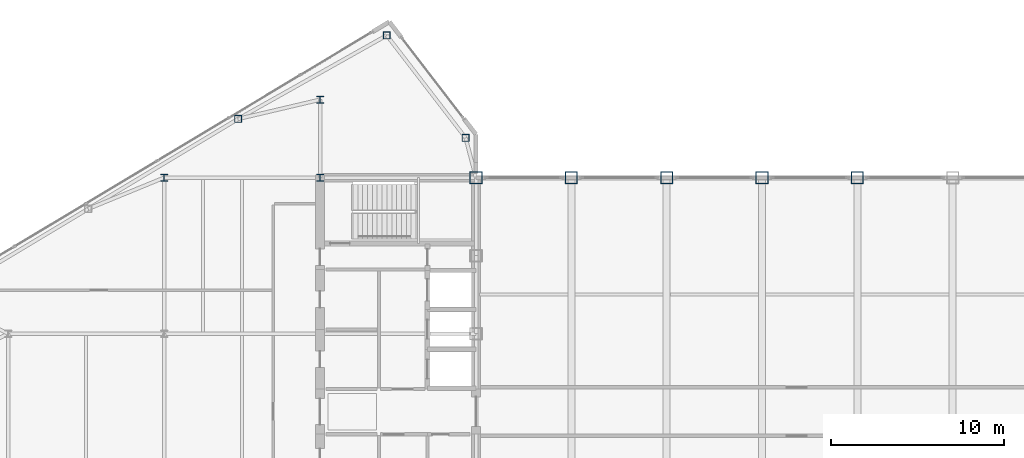
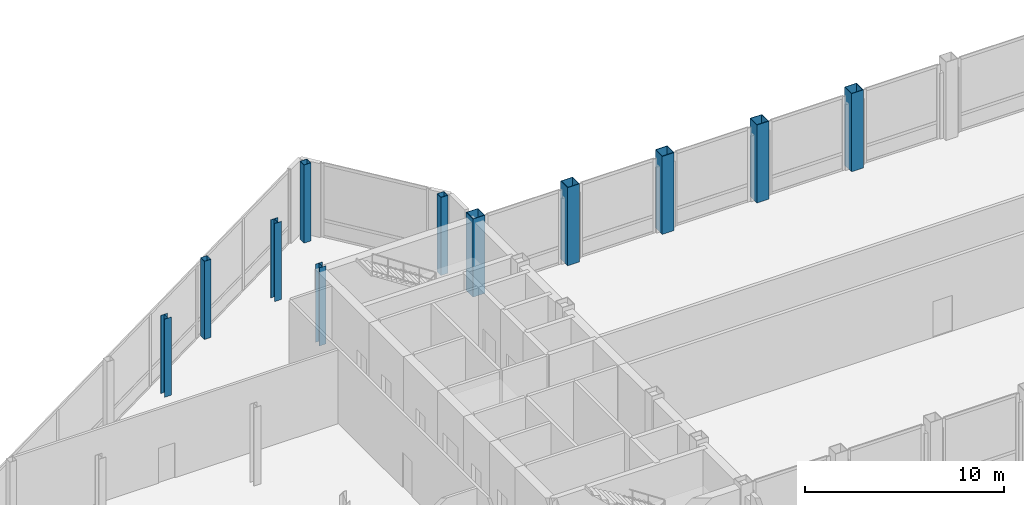
# One storey, part 3 of 29: 11 columns.
"""IFC4 building model written with IfcOpenShell, lengths in metres."""

from ifc_helpers import new_model, si_unit, direction, frame, origin, origin_2d, place, context, subcontext, project, spatial, hollow_rectangle, i_section, extrude, source, transform, mapped, material, material_profile, profile_set, type_object, type_shapes, element, save


model = new_model("IFC4")

# Units and contexts
model_context = context("Model", 3, precision=1e-05, world=origin(), true_north=direction((0.0, 1.0)))
body_context = subcontext(model_context, "Body", "Model", "MODEL_VIEW")
ifc_project = project(units=[si_unit("LENGTHUNIT", "METRE"), si_unit("AREAUNIT", "SQUARE_METRE"), si_unit("VOLUMEUNIT", "CUBIC_METRE"), si_unit("PLANEANGLEUNIT", "RADIAN"), si_unit("MASSUNIT", "GRAM", prefix="KILO")], contexts=[model_context])

# Site, building, storey
site_placement = place(None, origin())
site = spatial("IfcSite", under=ifc_project, at=site_placement, CompositionType="ELEMENT")
building_placement = place(site_placement, origin())
building = spatial("IfcBuilding", under=site, at=building_placement, Name="Seokmaru Belvedere", CompositionType="ELEMENT")
storey_placement = place(building_placement, frame((0.0, 0.0, 269.39990234375)))
storey = spatial("IfcBuildingStorey", under=building, at=storey_placement, Name="L71", CompositionType="ELEMENT", Elevation=269.39990234375)

# Columns
ifc_material = material(Name="Steel SM355 (355 MPa)", Category="steel")
ifc_material_profile_1 = material_profile(ifc_material, hollow_rectangle(XDim=0.699951171875, YDim=0.699951171875, WallThickness=0.030029296875, at=origin_2d()), Name="BOX-700x700x30")
ifc_profile_set_1 = profile_set([ifc_material_profile_1], Name="Steel SM355 (355 MPa)")
column_type_1 = type_object("IfcColumnType", Name="Upper Spine Column BOX-700", PredefinedType="COLUMN", material=ifc_profile_set_1)
shared_shape_1 = source(origin(), body_context, "Body", "SweptSolid", [
    extrude(hollow_rectangle(XDim=0.699951171875, YDim=0.699951171875, WallThickness=0.030029296875, at=origin_2d()), origin(), (0.0, 0.0, 1.0), 4.800048828125),
])
type_shapes(column_type_1, [shared_shape_1])
for number, where, z_axis, x_axis, name in (
    (1, (-27.5, 13.5, 0.0), (0.0, 0.0, 1.0), (1.0, 0.0, 0.0), "L71 Column WS6"),
    (2, (-22.0, 13.5, 0.0), (0.0, 0.0, 1.0), (1.0, 0.0, 0.0), "L71 Column BRN_1"),
    (3, (-16.5, 13.5, 0.0), (0.0, 0.0, 1.0), (1.0, 0.0, 0.0), "L71 Column BRN_2"),
    (4, (-11.0, 13.5, 0.0), (0.0, 0.0, 1.0), (1.0, 0.0, 0.0), "L71 Column BRN_3"),
    (5, (-5.5, 13.5, 0.0), (0.0, 0.0, 1.0), (1.0, 0.0, 0.0), "L71 Column BRN_4"),
):
    element("IfcColumn", number, at=place(storey_placement, frame(where, z_axis=z_axis, x_axis=x_axis)), inside=storey, type_object=column_type_1, Name=name, PredefinedType="COLUMN", context=body_context, shape_type="MappedRepresentation", body=[
        mapped(shared_shape_1, transform((0.0, 0.0, 0.0), scale=1.0)),
    ])
ifc_material_profile_2 = material_profile(ifc_material, hollow_rectangle(XDim=0.39990234375, YDim=0.39990234375, WallThickness=0.01611328125, at=origin_2d()), Name="HSS-400x400x16")
ifc_profile_set_2 = profile_set([ifc_material_profile_2], Name="Steel SM355 (355 MPa)")
column_type_2 = type_object("IfcColumnType", Name="Perimeter Facet Column HSS-400", PredefinedType="COLUMN", material=ifc_profile_set_2)
shared_shape_2 = source(origin(), body_context, "Body", "SweptSolid", [
    extrude(hollow_rectangle(XDim=0.39990234375, YDim=0.39990234375, WallThickness=0.01611328125, at=origin_2d()), origin(), (0.0, 0.0, 1.0), 4.800048828125),
])
type_shapes(column_type_2, [shared_shape_2])
for number, where, z_axis, x_axis, name in (
    (6, (-28.10009765625, 15.7958984375, 0.0), (0.0, 0.0, 1.0), (1.0, 0.0, 0.0), "L71 Column WF2"),
    (7, (-32.649658203125, 21.71044921875, 0.0), (0.0, 0.0, 1.0), (1.0, 0.0, 0.0), "L71 Column WF3"),
    (8, (-41.229736328125, 16.888916015625, 0.0), (0.0, 0.0, 1.0), (1.0, 0.0, 0.0), "L71 Column WFLK_N1"),
):
    element("IfcColumn", number, at=place(storey_placement, frame(where, z_axis=z_axis, x_axis=x_axis)), inside=storey, type_object=column_type_2, Name=name, PredefinedType="COLUMN", context=body_context, shape_type="MappedRepresentation", body=[
        mapped(shared_shape_2, transform((0.0, 0.0, 0.0), scale=1.0)),
    ])
ifc_material_profile_3 = material_profile(ifc_material, i_section(OverallWidth=0.39990234375, OverallDepth=0.39990234375, WebThickness=0.012939453125, FlangeThickness=0.02099609375, at=origin_2d()), Name="H-400x400x13x21")
ifc_profile_set_3 = profile_set([ifc_material_profile_3], Name="Steel SM355 (355 MPa)")
column_type_3 = type_object("IfcColumnType", Name="Observatory Column H-400", PredefinedType="COLUMN", material=ifc_profile_set_3)
shared_shape_3 = source(origin(), body_context, "Body", "SweptSolid", [
    extrude(i_section(OverallWidth=0.39990234375, OverallDepth=0.39990234375, WebThickness=0.012939453125, FlangeThickness=0.02099609375, at=origin_2d()), origin(), (0.0, 0.0, 1.0), 4.800048828125),
])
type_shapes(column_type_3, [shared_shape_3])
for number, where, z_axis, x_axis, name in (
    (9, (-36.5, 13.5, 0.0), (0.0, 0.0, 1.0), (1.0, 0.0, 0.0), "L71 Column WC3"),
    (10, (-36.5, 18.0, 0.0), (0.0, 0.0, 1.0), (1.0, 0.0, 0.0), "L71 Column WC4"),
    (11, (-45.5, 13.5, 0.0), (0.0, 0.0, 1.0), (1.0, 0.0, 0.0), "L71 Column WG5_4"),
):
    element("IfcColumn", number, at=place(storey_placement, frame(where, z_axis=z_axis, x_axis=x_axis)), inside=storey, type_object=column_type_3, Name=name, PredefinedType="COLUMN", context=body_context, shape_type="MappedRepresentation", body=[
        mapped(shared_shape_3, transform((0.0, 0.0, 0.0), scale=1.0)),
    ])

save(model, "model.ifc")
